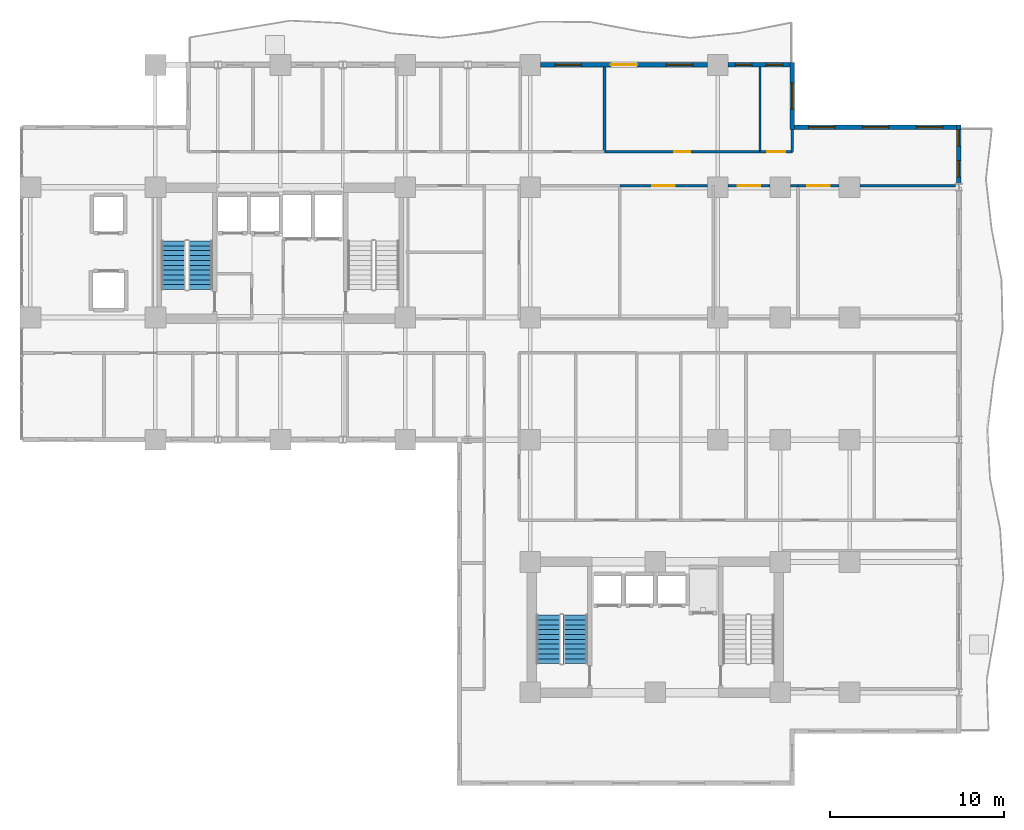
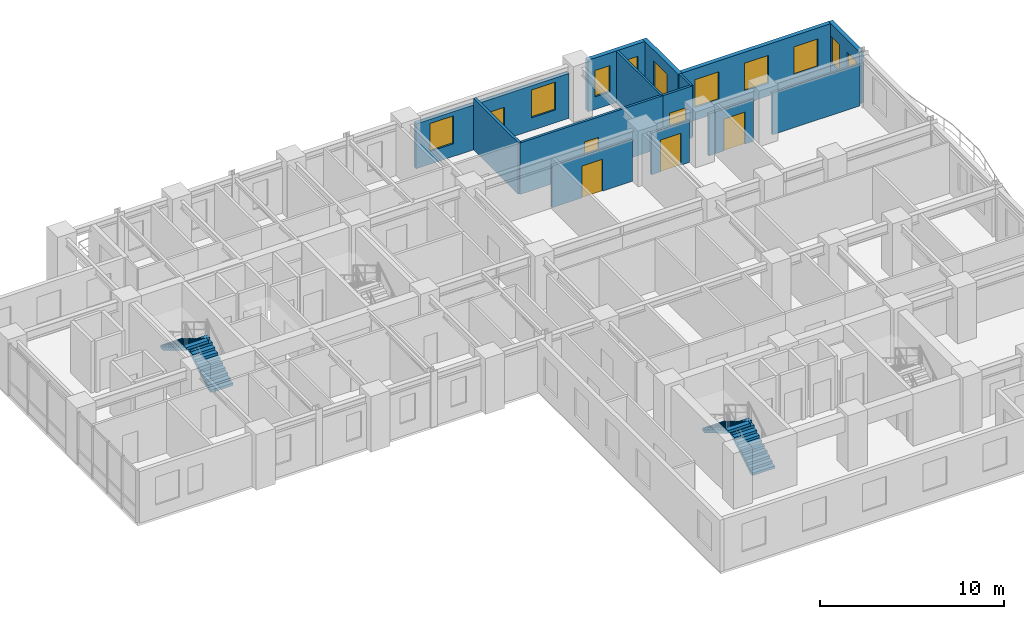
# One storey, part 13 of 18: 15 walls, 10 windows, 6 doors, 4 stair flights, 16 openings, 2 elements without a shape of their own.
"""IFC4 building model written with IfcOpenShell, lengths in metres."""

from ifc_helpers import new_model, si_unit, direction, frame, frame_2d, origin, place, context, subcontext, project, spatial, polyline, rectangle, outline, extrude, material, layer, layer_set, type_object, element, fill, aggregate, save


model = new_model("IFC4")

# Units and contexts
model_context = context("Model", 3, precision=1e-05, world=origin(), true_north=direction((0.0, 1.0)))
body_context = subcontext(model_context, "Body", "Model", "MODEL_VIEW")
ifc_project = project(units=[si_unit("LENGTHUNIT", "METRE"), si_unit("AREAUNIT", "SQUARE_METRE"), si_unit("VOLUMEUNIT", "CUBIC_METRE"), si_unit("PLANEANGLEUNIT", "RADIAN"), si_unit("MASSUNIT", "GRAM", prefix="KILO")], contexts=[model_context])

# Site, building, storey
site_placement = place(None, origin())
site = spatial("IfcSite", under=ifc_project, at=site_placement, CompositionType="ELEMENT")
building_placement = place(site_placement, origin())
building = spatial("IfcBuilding", under=site, at=building_placement, Name="Kaliganga Portal Commons", CompositionType="ELEMENT")
storey_placement = place(building_placement, frame((0.0, 0.0, 123.0)))
storey = spatial("IfcBuildingStorey", under=building, at=storey_placement, Name="L31", CompositionType="ELEMENT", Elevation=123.0)

# Wall, openings, windows
ifc_material_1 = material(Name="Insulated Aluminium-Clad Spandrel Assembly", Category="aluminium")
ifc_layer_1 = layer(ifc_material_1, 0.260009765625)
ifc_layer_set_1 = layer_set([ifc_layer_1], Name="Insulated Aluminium-Clad Spandrel Assembly")
wall_type_1 = type_object("IfcWallType", Name="WL-EXT-SPAND-260", PredefinedType="STANDARD", material=ifc_layer_set_1)
wall_1_placement = place(storey_placement, frame((60.699951171875, 39.72998046875, 0.0), z_axis=(0.0, 0.0, 1.0), x_axis=(0.0, -1.0, 0.0)))
wall_1 = element("IfcWall", 1, at=wall_1_placement, inside=storey, type_object=wall_type_1, Name="Exterior Envelope Wall L31 P1-E03-S6", PredefinedType="STANDARD", context=body_context, shape_type="SweptSolid", body=[
    extrude(rectangle(XDim=3.364013671875, YDim=0.260009765625, at=frame_2d((1.68212890625, 0.0))), origin(), (0.0, 0.0, 1.0), 3.429931640625),
])
opening_1_placement = place(wall_1_placement, frame((2.041259765625, 0.0, 0.85009765625)))
opening_1 = element("IfcOpeningElement", 2, at=opening_1_placement, cuts=wall_1, Name="Opening W-04", PredefinedType="OPENING", context=body_context, shape_type="SweptSolid", body=[
    extrude(rectangle(XDim=0.949951171875, YDim=1.75, at=frame_2d((0.47509765625, 0.875))), frame((0.0, 0.14013671875, 0.0), z_axis=(0.0, -1.0, 0.0), x_axis=(1.0, 0.0, 0.0)), (0.0, 0.0, 1.0), 0.280029296875),
])
opening_2_placement = place(wall_1_placement, frame((0.26513671875, 0.0, 0.85009765625)))
opening_2 = element("IfcOpeningElement", 3, at=opening_2_placement, cuts=wall_1, Name="Opening W-04", PredefinedType="OPENING", context=body_context, shape_type="SweptSolid", body=[
    extrude(rectangle(XDim=0.949951171875, YDim=1.75, at=frame_2d((0.47509765625, 0.875))), frame((0.0, 0.14013671875, 0.0), z_axis=(0.0, -1.0, 0.0), x_axis=(1.0, 0.0, 0.0)), (0.0, 0.0, 1.0), 0.280029296875),
])
ifc_material_2 = material(Name="Thermally Broken Aluminium and Low-E Double Glazing", Category="aluminium")
window_type_1 = type_object("IfcWindowType", Name="WIN-NARROW-950", PartitioningType="SINGLE_PANEL", PredefinedType="WINDOW", material=ifc_material_2)
window_1_placement = place(opening_1_placement, origin())
window_1 = element("IfcWindow", 4, at=window_1_placement, inside=storey, type_object=window_type_1, Name="Facade Window L31-P1E03S6-N2", OverallHeight=1.75, OverallWidth=0.949951171875, PartitioningType="SINGLE_PANEL", PredefinedType="WINDOW", context=body_context, shape_type="SweptSolid", body=[
    extrude(rectangle(XDim=0.949951171875, YDim=1.75, at=frame_2d((0.47509765625, 0.875))), frame((0.0, 0.030029296875, 0.0), z_axis=(0.0, -1.0, 0.0), x_axis=(1.0, 0.0, 0.0)), (0.0, 0.0, 1.0), 0.06005859375),
])
fill(opening_1, window_1)
window_2_placement = place(opening_2_placement, origin())
window_2 = element("IfcWindow", 5, at=window_2_placement, inside=storey, type_object=window_type_1, Name="Facade Window L31-P1E03S6-N9", OverallHeight=1.75, OverallWidth=0.949951171875, PartitioningType="SINGLE_PANEL", PredefinedType="WINDOW", context=body_context, shape_type="SweptSolid", body=[
    extrude(rectangle(XDim=0.949951171875, YDim=1.75, at=frame_2d((0.47509765625, 0.875))), frame((0.0, 0.030029296875, 0.0), z_axis=(0.0, -1.0, 0.0), x_axis=(1.0, 0.0, 0.0)), (0.0, 0.0, 1.0), 0.06005859375),
])
fill(opening_2, window_2)

wall_2_placement = place(storey_placement, frame((51.235107421875, 39.60009765625, 0.0), z_axis=(0.0, 0.0, 1.0), x_axis=(1.0, 0.0, 0.0)))
wall_2 = element("IfcWall", 6, at=wall_2_placement, inside=storey, type_object=wall_type_1, Name="Exterior Envelope Wall L31 P1-E04-S1", PredefinedType="STANDARD", context=body_context, shape_type="SweptSolid", body=[
    extrude(rectangle(XDim=9.329833984375, YDim=0.260009765625, at=frame_2d((4.6650390625, 0.0))), origin(), (0.0, 0.0, 1.0), 3.429931640625),
])
opening_3_placement = place(wall_2_placement, frame((0.804931640625, 0.0, 0.85009765625)))
opening_3 = element("IfcOpeningElement", 7, at=opening_3_placement, cuts=wall_2, Name="Opening W-02", PredefinedType="OPENING", context=body_context, shape_type="SweptSolid", body=[
    extrude(rectangle(XDim=1.5, YDim=1.85009765625, at=frame_2d((0.75, 0.925048828125))), frame((0.0, 0.14013671875, 0.0), z_axis=(0.0, -1.0, 0.0), x_axis=(1.0, 0.0, 0.0)), (0.0, 0.0, 1.0), 0.280029296875),
])
opening_4_placement = place(wall_2_placement, frame((3.9150390625, 0.0, 0.85009765625)))
opening_4 = element("IfcOpeningElement", 8, at=opening_4_placement, cuts=wall_2, Name="Opening W-02", PredefinedType="OPENING", context=body_context, shape_type="SweptSolid", body=[
    extrude(rectangle(XDim=1.5, YDim=1.85009765625, at=frame_2d((0.75, 0.925048828125))), frame((0.0, 0.14013671875, 0.0), z_axis=(0.0, -1.0, 0.0), x_axis=(1.0, 0.0, 0.0)), (0.0, 0.0, 1.0), 0.280029296875),
])
opening_5_placement = place(wall_2_placement, frame((7.02490234375, 0.0, 0.85009765625)))
opening_5 = element("IfcOpeningElement", 9, at=opening_5_placement, cuts=wall_2, Name="Opening W-02", PredefinedType="OPENING", context=body_context, shape_type="SweptSolid", body=[
    extrude(rectangle(XDim=1.5, YDim=1.85009765625, at=frame_2d((0.75, 0.925048828125))), frame((0.0, 0.14013671875, 0.0), z_axis=(0.0, -1.0, 0.0), x_axis=(1.0, 0.0, 0.0)), (0.0, 0.0, 1.0), 0.280029296875),
])
window_type_2 = type_object("IfcWindowType", Name="WIN-STD-1500", PartitioningType="DOUBLE_PANEL_VERTICAL", PredefinedType="WINDOW", material=ifc_material_2)
window_3_placement = place(opening_3_placement, origin())
window_3 = element("IfcWindow", 10, at=window_3_placement, inside=storey, type_object=window_type_2, Name="Facade Window L31-P1E04S1-00", OverallHeight=1.85009765625, OverallWidth=1.5, PartitioningType="SINGLE_PANEL", PredefinedType="WINDOW", context=body_context, shape_type="SweptSolid", body=[
    extrude(rectangle(XDim=1.5, YDim=1.85009765625, at=frame_2d((0.75, 0.925048828125))), frame((0.0, 0.030029296875, 0.0), z_axis=(0.0, -1.0, 0.0), x_axis=(1.0, 0.0, 0.0)), (0.0, 0.0, 1.0), 0.06005859375),
])
fill(opening_3, window_3)
window_4_placement = place(opening_4_placement, origin())
window_4 = element("IfcWindow", 11, at=window_4_placement, inside=storey, type_object=window_type_2, Name="Facade Window L31-P1E04S1-01", OverallHeight=1.85009765625, OverallWidth=1.5, PartitioningType="SINGLE_PANEL", PredefinedType="WINDOW", context=body_context, shape_type="SweptSolid", body=[
    extrude(rectangle(XDim=1.5, YDim=1.85009765625, at=frame_2d((0.75, 0.925048828125))), frame((0.0, 0.030029296875, 0.0), z_axis=(0.0, -1.0, 0.0), x_axis=(1.0, 0.0, 0.0)), (0.0, 0.0, 1.0), 0.06005859375),
])
fill(opening_4, window_4)
window_5_placement = place(opening_5_placement, origin())
window_5 = element("IfcWindow", 12, at=window_5_placement, inside=storey, type_object=window_type_2, Name="Facade Window L31-P1E04S1-02", OverallHeight=1.85009765625, OverallWidth=1.5, PartitioningType="SINGLE_PANEL", PredefinedType="WINDOW", context=body_context, shape_type="SweptSolid", body=[
    extrude(rectangle(XDim=1.5, YDim=1.85009765625, at=frame_2d((0.75, 0.925048828125))), frame((0.0, 0.030029296875, 0.0), z_axis=(0.0, -1.0, 0.0), x_axis=(1.0, 0.0, 0.0)), (0.0, 0.0, 1.0), 0.06005859375),
])
fill(opening_5, window_5)

# Wall, opening, window
wall_3_placement = place(storey_placement, frame((51.10009765625, 43.330078125, 0.0), z_axis=(0.0, 0.0, 1.0), x_axis=(0.0, -1.0, 0.0)))
wall_3 = element("IfcWall", 13, at=wall_3_placement, inside=storey, type_object=wall_type_1, Name="Exterior Envelope Wall L31 P1-E05-S1", PredefinedType="STANDARD", context=body_context, shape_type="SweptSolid", body=[
    extrude(rectangle(XDim=3.860107421875, YDim=0.260009765625, at=frame_2d((1.93017578125, 0.0))), origin(), (0.0, 0.0, 1.0), 3.429931640625),
])
opening_6_placement = place(wall_3_placement, frame((1.179931640625, 0.0, 0.85009765625)))
opening_6 = element("IfcOpeningElement", 14, at=opening_6_placement, cuts=wall_3, Name="Opening W-02", PredefinedType="OPENING", context=body_context, shape_type="SweptSolid", body=[
    extrude(rectangle(XDim=1.5, YDim=1.85009765625, at=frame_2d((0.75, 0.925048828125))), frame((0.0, 0.14013671875, 0.0), z_axis=(0.0, -1.0, 0.0), x_axis=(1.0, 0.0, 0.0)), (0.0, 0.0, 1.0), 0.280029296875),
])
window_6_placement = place(opening_6_placement, origin())
window_6 = element("IfcWindow", 15, at=window_6_placement, inside=storey, type_object=window_type_2, Name="Facade Window L31-P1E05S1-00", OverallHeight=1.85009765625, OverallWidth=1.5, PartitioningType="SINGLE_PANEL", PredefinedType="WINDOW", context=body_context, shape_type="SweptSolid", body=[
    extrude(rectangle(XDim=1.5, YDim=1.85009765625, at=frame_2d((0.75, 0.925048828125))), frame((0.0, 0.030029296875, 0.0), z_axis=(0.0, -1.0, 0.0), x_axis=(1.0, 0.0, 0.0)), (0.0, 0.0, 1.0), 0.06005859375),
])
fill(opening_6, window_6)

# Wall, openings, windows
wall_4_placement = place(storey_placement, frame((47.40087890625, 43.199951171875, 0.0), z_axis=(0.0, 0.0, 1.0), x_axis=(1.0, 0.0, 0.0)))
wall_4 = element("IfcWall", 16, at=wall_4_placement, inside=storey, type_object=wall_type_1, Name="Exterior Envelope Wall L31 P1-E06-S1", PredefinedType="STANDARD", context=body_context, shape_type="SweptSolid", body=[
    extrude(rectangle(XDim=3.564208984375, YDim=0.260009765625, at=frame_2d((1.7822265625, 0.0))), origin(), (0.0, 0.0, 1.0), 3.429931640625),
])
opening_7_placement = place(wall_4_placement, frame((0.423095703125, 0.0, 0.85009765625)))
opening_7 = element("IfcOpeningElement", 17, at=opening_7_placement, cuts=wall_4, Name="Opening W-04", PredefinedType="OPENING", context=body_context, shape_type="SweptSolid", body=[
    extrude(rectangle(XDim=0.949951171875, YDim=1.75, at=frame_2d((0.47509765625, 0.875))), frame((0.0, 0.14013671875, 0.0), z_axis=(0.0, -1.0, 0.0), x_axis=(1.0, 0.0, 0.0)), (0.0, 0.0, 1.0), 0.280029296875),
])
opening_8_placement = place(wall_4_placement, frame((2.19091796875, 0.0, 0.85009765625)))
opening_8 = element("IfcOpeningElement", 18, at=opening_8_placement, cuts=wall_4, Name="Opening W-04", PredefinedType="OPENING", context=body_context, shape_type="SweptSolid", body=[
    extrude(rectangle(XDim=0.949951171875, YDim=1.75, at=frame_2d((0.47509765625, 0.875))), frame((0.0, 0.14013671875, 0.0), z_axis=(0.0, -1.0, 0.0), x_axis=(1.0, 0.0, 0.0)), (0.0, 0.0, 1.0), 0.280029296875),
])
window_7_placement = place(opening_7_placement, origin())
window_7 = element("IfcWindow", 19, at=window_7_placement, inside=storey, type_object=window_type_1, Name="Facade Window L31-P1E06S1-N1", OverallHeight=1.75, OverallWidth=0.949951171875, PartitioningType="SINGLE_PANEL", PredefinedType="WINDOW", context=body_context, shape_type="SweptSolid", body=[
    extrude(rectangle(XDim=0.949951171875, YDim=1.75, at=frame_2d((0.47509765625, 0.875))), frame((0.0, 0.030029296875, 0.0), z_axis=(0.0, -1.0, 0.0), x_axis=(1.0, 0.0, 0.0)), (0.0, 0.0, 1.0), 0.06005859375),
])
fill(opening_7, window_7)
window_8_placement = place(opening_8_placement, origin())
window_8 = element("IfcWindow", 20, at=window_8_placement, inside=storey, type_object=window_type_1, Name="Facade Window L31-P1E06S1-N2", OverallHeight=1.75, OverallWidth=0.949951171875, PartitioningType="SINGLE_PANEL", PredefinedType="WINDOW", context=body_context, shape_type="SweptSolid", body=[
    extrude(rectangle(XDim=0.949951171875, YDim=1.75, at=frame_2d((0.47509765625, 0.875))), frame((0.0, 0.030029296875, 0.0), z_axis=(0.0, -1.0, 0.0), x_axis=(1.0, 0.0, 0.0)), (0.0, 0.0, 1.0), 0.06005859375),
])
fill(opening_8, window_8)

# Wall, openings, door, windows
wall_5_placement = place(storey_placement, frame((36.60107421875, 43.199951171875, 0.0), z_axis=(0.0, 0.0, 1.0), x_axis=(1.0, 0.0, 0.0)))
wall_5 = element("IfcWall", 21, at=wall_5_placement, inside=storey, type_object=wall_type_1, Name="Exterior Envelope Wall L31 P1-E06-S2", PredefinedType="STANDARD", context=body_context, shape_type="SweptSolid", body=[
    extrude(rectangle(XDim=9.597900390625, YDim=0.260009765625, at=frame_2d((4.798828125, 0.0))), origin(), (0.0, 0.0, 1.0), 2.97998046875),
])
opening_9_placement = place(wall_5_placement, frame((4.049072265625, 0.0, 0.0)))
opening_9 = element("IfcOpeningElement", 22, at=opening_9_placement, cuts=wall_5, Name="Opening BD-01", PredefinedType="OPENING", context=body_context, shape_type="SweptSolid", body=[
    extrude(rectangle(XDim=1.5, YDim=2.14990234375, at=frame_2d((0.75, 1.074951171875))), frame((0.0, 0.14013671875, 0.0), z_axis=(0.0, -1.0, 0.0), x_axis=(1.0, 0.0, 0.0)), (0.0, 0.0, 1.0), 0.280029296875),
])
opening_10_placement = place(wall_5_placement, frame((0.849609375, 0.0, 0.85009765625)))
opening_10 = element("IfcOpeningElement", 23, at=opening_10_placement, cuts=wall_5, Name="Opening W-02", PredefinedType="OPENING", context=body_context, shape_type="SweptSolid", body=[
    extrude(rectangle(XDim=1.5, YDim=1.85009765625, at=frame_2d((0.75, 0.925048828125))), frame((0.0, 0.14013671875, 0.0), z_axis=(0.0, -1.0, 0.0), x_axis=(1.0, 0.0, 0.0)), (0.0, 0.0, 1.0), 0.280029296875),
])
opening_11_placement = place(wall_5_placement, frame((7.248291015625, 0.0, 0.85009765625)))
opening_11 = element("IfcOpeningElement", 24, at=opening_11_placement, cuts=wall_5, Name="Opening W-02", PredefinedType="OPENING", context=body_context, shape_type="SweptSolid", body=[
    extrude(rectangle(XDim=1.5, YDim=1.85009765625, at=frame_2d((0.75, 0.925048828125))), frame((0.0, 0.14013671875, 0.0), z_axis=(0.0, -1.0, 0.0), x_axis=(1.0, 0.0, 0.0)), (0.0, 0.0, 1.0), 0.280029296875),
])
ifc_material_3 = material(Name="Anodized Aluminium and Laminated Safety Glass", Category="aluminium")
door_type_1 = type_object("IfcDoorType", Name="DR-BALC-1500", OperationType="SLIDING_TO_LEFT", PredefinedType="DOOR", material=ifc_material_3)
door_1_placement = place(opening_9_placement, origin())
door_1 = element("IfcDoor", 25, at=door_1_placement, inside=storey, type_object=door_type_1, Name="Balcony Sliding Door L31 balc_north", OperationType="SLIDING_TO_LEFT", OverallHeight=2.14990234375, OverallWidth=1.5, PredefinedType="DOOR", context=body_context, shape_type="SweptSolid", body=[
    extrude(rectangle(XDim=1.5, YDim=2.14990234375, at=frame_2d((0.75, 1.074951171875))), frame((0.0, 0.02490234375, 0.0), z_axis=(0.0, -1.0, 0.0), x_axis=(1.0, 0.0, 0.0)), (0.0, 0.0, 1.0), 0.050048828125),
])
fill(opening_9, door_1)
window_9_placement = place(opening_10_placement, origin())
window_9 = element("IfcWindow", 26, at=window_9_placement, inside=storey, type_object=window_type_2, Name="Facade Window L31-P1E06S2-00", OverallHeight=1.85009765625, OverallWidth=1.5, PartitioningType="SINGLE_PANEL", PredefinedType="WINDOW", context=body_context, shape_type="SweptSolid", body=[
    extrude(rectangle(XDim=1.5, YDim=1.85009765625, at=frame_2d((0.75, 0.925048828125))), frame((0.0, 0.030029296875, 0.0), z_axis=(0.0, -1.0, 0.0), x_axis=(1.0, 0.0, 0.0)), (0.0, 0.0, 1.0), 0.06005859375),
])
fill(opening_10, window_9)
window_10_placement = place(opening_11_placement, origin())
window_10 = element("IfcWindow", 27, at=window_10_placement, inside=storey, type_object=window_type_2, Name="Facade Window L31-P1E06S2-02", OverallHeight=1.85009765625, OverallWidth=1.5, PartitioningType="SINGLE_PANEL", PredefinedType="WINDOW", context=body_context, shape_type="SweptSolid", body=[
    extrude(rectangle(XDim=1.5, YDim=1.85009765625, at=frame_2d((0.75, 0.925048828125))), frame((0.0, 0.030029296875, 0.0), z_axis=(0.0, -1.0, 0.0), x_axis=(1.0, 0.0, 0.0)), (0.0, 0.0, 1.0), 0.06005859375),
])
fill(opening_11, window_10)

# Wall, opening, door
ifc_material_4 = material(Name="Fire-Rated Gypsum Board on Steel Stud", Category="steel")
ifc_layer_2 = layer(ifc_material_4, 0.14990234375)
ifc_layer_set_2 = layer_set([ifc_layer_2], Name="Fire-Rated Gypsum Board on Steel Stud")
wall_type_2 = type_object("IfcWallType", Name="WL-PART-CORR-150", PredefinedType="PARTITIONING", material=ifc_layer_set_2)
wall_6_placement = place(storey_placement, frame((51.419921875, 36.239990234375, 0.0), z_axis=(0.0, 0.0, 1.0), x_axis=(1.0, 0.0, 0.0)))
wall_6 = element("IfcWall", 28, at=wall_6_placement, inside=storey, type_object=wall_type_2, Name="Interior Partition L31-005", PredefinedType="PARTITIONING", context=body_context, shape_type="SweptSolid", body=[
    extrude(rectangle(XDim=2.380126953125, YDim=0.14990234375, at=frame_2d((1.18994140625, 0.0))), origin(), (0.0, 0.0, 1.0), 2.780029296875),
])
opening_12_placement = place(wall_6_placement, frame((0.5400390625, 0.0, 0.0)))
opening_12 = element("IfcOpeningElement", 29, at=opening_12_placement, cuts=wall_6, Name="Opening RD-03", PredefinedType="OPENING", context=body_context, shape_type="SweptSolid", body=[
    extrude(rectangle(XDim=1.300048828125, YDim=2.1201171875, at=frame_2d((0.64990234375, 1.06005859375))), frame((0.0, 0.0849609375, 0.0), z_axis=(0.0, -1.0, 0.0), x_axis=(1.0, 0.0, 0.0)), (0.0, 0.0, 1.0), 0.169921875),
])
ifc_material_5 = material(Name="Glazed Timber Seminar Vision Door", Category="wood")
door_type_2 = type_object("IfcDoorType", Name="DR-STUDY-1300", OperationType="DOUBLE_DOOR_SINGLE_SWING", PredefinedType="DOOR", material=ifc_material_5)
door_2_placement = place(opening_12_placement, origin())
door_2 = element("IfcDoor", 30, at=door_2_placement, inside=storey, type_object=door_type_2, Name="Interior Door L31-BK04", OperationType="DOUBLE_DOOR_SINGLE_SWING", OverallHeight=2.1201171875, OverallWidth=1.300048828125, PredefinedType="DOOR", context=body_context, shape_type="SweptSolid", body=[
    extrude(rectangle(XDim=1.300048828125, YDim=2.1201171875, at=frame_2d((0.64990234375, 1.06005859375))), frame((0.0, 0.02490234375, 0.0), z_axis=(0.0, -1.0, 0.0), x_axis=(1.0, 0.0, 0.0)), (0.0, 0.0, 1.0), 0.050048828125),
])
fill(opening_12, door_2)

# Wall
wall_7_placement = place(storey_placement, frame((55.0, 36.239990234375, 0.0), z_axis=(0.0, 0.0, 1.0), x_axis=(1.0, 0.0, 0.0)))
element("IfcWall", 31, at=wall_7_placement, inside=storey, type_object=wall_type_2, Name="Interior Partition L31-006", PredefinedType="PARTITIONING", context=body_context, shape_type="SweptSolid", body=[
    extrude(rectangle(XDim=5.49560546875, YDim=0.14990234375, at=frame_2d((2.747802734375, 0.0))), origin(), (0.0, 0.0, 1.0), 2.780029296875),
])

# Wall, opening, door
wall_8_placement = place(storey_placement, frame((40.280029296875, 38.199951171875, 0.0), z_axis=(0.0, 0.0, 1.0), x_axis=(1.0, 0.0, 0.0)))
wall_8 = element("IfcWall", 32, at=wall_8_placement, inside=storey, type_object=wall_type_2, Name="Interior Partition L31-007", PredefinedType="PARTITIONING", context=body_context, shape_type="SweptSolid", body=[
    extrude(rectangle(XDim=8.9599609375, YDim=0.14990234375, at=frame_2d((4.47998046875, 0.0))), origin(), (0.0, 0.0, 1.0), 3.429931640625),
])
opening_13_placement = place(wall_8_placement, frame((4.030029296875, 0.0, 0.0)))
opening_13 = element("IfcOpeningElement", 33, at=opening_13_placement, cuts=wall_8, Name="Opening RD-01", PredefinedType="OPENING", context=body_context, shape_type="SweptSolid", body=[
    extrude(rectangle(XDim=0.89990234375, YDim=2.080078125, at=frame_2d((0.449951171875, 1.0400390625))), frame((0.0, 0.0849609375, 0.0), z_axis=(0.0, -1.0, 0.0), x_axis=(1.0, 0.0, 0.0)), (0.0, 0.0, 1.0), 0.169921875),
])
ifc_material_6 = material(Name="Engineered Timber Flush Door", Category="wood")
door_type_3 = type_object("IfcDoorType", Name="DR-ROOM-900", OperationType="NOTDEFINED", PredefinedType="DOOR", material=ifc_material_6)
door_3_placement = place(opening_13_placement, origin())
door_3 = element("IfcDoor", 34, at=door_3_placement, inside=storey, type_object=door_type_3, Name="Interior Door L31-AN07", OperationType="SINGLE_SWING_RIGHT", OverallHeight=2.080078125, OverallWidth=0.89990234375, PredefinedType="DOOR", context=body_context, shape_type="SweptSolid", body=[
    extrude(rectangle(XDim=0.89990234375, YDim=2.080078125, at=frame_2d((0.449951171875, 1.0400390625))), frame((0.0, 0.02490234375, 0.0), z_axis=(0.0, -1.0, 0.0), x_axis=(1.0, 0.0, 0.0)), (0.0, 0.0, 1.0), 0.050048828125),
])
fill(opening_13, door_3)

wall_9_placement = place(storey_placement, frame((41.159912109375, 36.239990234375, 0.0), z_axis=(0.0, 0.0, 1.0), x_axis=(1.0, 0.0, 0.0)))
wall_9 = element("IfcWall", 35, at=wall_9_placement, inside=storey, type_object=wall_type_2, Name="Interior Partition L31-014", PredefinedType="PARTITIONING", context=body_context, shape_type="SweptSolid", body=[
    extrude(rectangle(XDim=5.0400390625, YDim=0.14990234375, at=frame_2d((2.52001953125, 0.0))), origin(), (0.0, 0.0, 1.0), 2.780029296875),
])
opening_14_placement = place(wall_9_placement, frame((1.8701171875, 0.0, 0.0)))
opening_14 = element("IfcOpeningElement", 36, at=opening_14_placement, cuts=wall_9, Name="Opening RD-03", PredefinedType="OPENING", context=body_context, shape_type="SweptSolid", body=[
    extrude(rectangle(XDim=1.300048828125, YDim=2.1201171875, at=frame_2d((0.64990234375, 1.06005859375))), frame((0.0, 0.0849609375, 0.0), z_axis=(0.0, -1.0, 0.0), x_axis=(1.0, 0.0, 0.0)), (0.0, 0.0, 1.0), 0.169921875),
])
door_4_placement = place(opening_14_placement, origin())
door_4 = element("IfcDoor", 37, at=door_4_placement, inside=storey, type_object=door_type_2, Name="Interior Door L31-BK02", OperationType="DOUBLE_DOOR_SINGLE_SWING", OverallHeight=2.1201171875, OverallWidth=1.300048828125, PredefinedType="DOOR", context=body_context, shape_type="SweptSolid", body=[
    extrude(rectangle(XDim=1.300048828125, YDim=2.1201171875, at=frame_2d((0.64990234375, 1.06005859375))), frame((0.0, 0.02490234375, 0.0), z_axis=(0.0, -1.0, 0.0), x_axis=(1.0, 0.0, 0.0)), (0.0, 0.0, 1.0), 0.050048828125),
])
fill(opening_14, door_4)

wall_10_placement = place(storey_placement, frame((47.39990234375, 36.239990234375, 0.0), z_axis=(0.0, 0.0, 1.0), x_axis=(1.0, 0.0, 0.0)))
wall_10 = element("IfcWall", 38, at=wall_10_placement, inside=storey, type_object=wall_type_2, Name="Interior Partition L31-019", PredefinedType="PARTITIONING", context=body_context, shape_type="SweptSolid", body=[
    extrude(rectangle(XDim=2.400146484375, YDim=0.14990234375, at=frame_2d((1.2001953125, 0.0))), origin(), (0.0, 0.0, 1.0), 2.780029296875),
])
opening_15_placement = place(wall_10_placement, frame((0.550048828125, 0.0, 0.0)))
opening_15 = element("IfcOpeningElement", 39, at=opening_15_placement, cuts=wall_10, Name="Opening RD-03", PredefinedType="OPENING", context=body_context, shape_type="SweptSolid", body=[
    extrude(rectangle(XDim=1.300048828125, YDim=2.1201171875, at=frame_2d((0.64990234375, 1.06005859375))), frame((0.0, 0.0849609375, 0.0), z_axis=(0.0, -1.0, 0.0), x_axis=(1.0, 0.0, 0.0)), (0.0, 0.0, 1.0), 0.169921875),
])
door_5_placement = place(opening_15_placement, origin())
door_5 = element("IfcDoor", 40, at=door_5_placement, inside=storey, type_object=door_type_2, Name="Interior Door L31-BK03", OperationType="DOUBLE_DOOR_SINGLE_SWING", OverallHeight=2.1201171875, OverallWidth=1.300048828125, PredefinedType="DOOR", context=body_context, shape_type="SweptSolid", body=[
    extrude(rectangle(XDim=1.300048828125, YDim=2.1201171875, at=frame_2d((0.64990234375, 1.06005859375))), frame((0.0, 0.02490234375, 0.0), z_axis=(0.0, -1.0, 0.0), x_axis=(1.0, 0.0, 0.0)), (0.0, 0.0, 1.0), 0.050048828125),
])
fill(opening_15, door_5)

# Wall
wall_11_placement = place(storey_placement, frame((51.0, 36.239990234375, 0.0), z_axis=(0.0, 0.0, 1.0), x_axis=(1.0, 0.0, 0.0)))
element("IfcWall", 41, at=wall_11_placement, inside=storey, type_object=wall_type_2, Name="Interior Partition L31-020", PredefinedType="PARTITIONING", context=body_context, shape_type="SweptSolid", body=[
    extrude(rectangle(XDim=0.419921875, YDim=0.14990234375, at=frame_2d((0.2099609375, 0.0))), origin(), (0.0, 0.0, 1.0), 2.780029296875),
])

# Wall, opening, door
wall_12_placement = place(storey_placement, frame((49.239990234375, 38.199951171875, 0.0), z_axis=(0.0, 0.0, 1.0), x_axis=(1.0, 0.0, 0.0)))
wall_12 = element("IfcWall", 42, at=wall_12_placement, inside=storey, type_object=wall_type_2, Name="Interior Partition L31-041", PredefinedType="PARTITIONING", context=body_context, shape_type="SweptSolid", body=[
    extrude(rectangle(XDim=1.860107421875, YDim=0.14990234375, at=frame_2d((0.93017578125, 0.0))), origin(), (0.0, 0.0, 1.0), 3.429931640625),
])
opening_16_placement = place(wall_12_placement, frame((0.405029296875, 0.0, 0.0)))
opening_16 = element("IfcOpeningElement", 43, at=opening_16_placement, cuts=wall_12, Name="Opening UD-02", PredefinedType="OPENING", context=body_context, shape_type="SweptSolid", body=[
    extrude(rectangle(XDim=1.050048828125, YDim=2.1201171875, at=frame_2d((0.52490234375, 1.06005859375))), frame((0.0, 0.0849609375, 0.0), z_axis=(0.0, -1.0, 0.0), x_axis=(1.0, 0.0, 0.0)), (0.0, 0.0, 1.0), 0.169921875),
])
ifc_material_7 = material(Name="Accessible Wide-Leaf Acoustic Fire Door", Category="wood")
door_type_4 = type_object("IfcDoorType", Name="DR-ACC-1050", OperationType="NOTDEFINED", PredefinedType="DOOR", material=ifc_material_7)
door_6_placement = place(opening_16_placement, origin())
door_6 = element("IfcDoor", 44, at=door_6_placement, inside=storey, type_object=door_type_4, Name="Interior Door L31-AN08", OperationType="SINGLE_SWING_RIGHT", OverallHeight=2.1201171875, OverallWidth=1.050048828125, PredefinedType="DOOR", context=body_context, shape_type="SweptSolid", body=[
    extrude(rectangle(XDim=1.050048828125, YDim=2.1201171875, at=frame_2d((0.52490234375, 1.06005859375))), frame((0.0, 0.02490234375, 0.0), z_axis=(0.0, -1.0, 0.0), x_axis=(1.0, 0.0, 0.0)), (0.0, 0.0, 1.0), 0.050048828125),
])
fill(opening_16, door_6)

# Walls
ifc_material_8 = material(Name="Twin-Stud Acoustic Gypsum Partition", Category="gypsum")
ifc_layer_3 = layer(ifc_material_8, 0.1650390625)
ifc_layer_set_3 = layer_set([ifc_layer_3], Name="Twin-Stud Acoustic Gypsum Partition")
wall_type_3 = type_object("IfcWallType", Name="WL-PART-UNIT-165", PredefinedType="PARTITIONING", material=ifc_layer_set_3)
wall_13_placement = place(storey_placement, frame((40.280029296875, 38.199951171875, 0.0), z_axis=(0.0, 0.0, 1.0), x_axis=(0.0, 1.0, 0.0)))
element("IfcWall", 45, at=wall_13_placement, inside=storey, type_object=wall_type_3, Name="Interior Partition L31-067", PredefinedType="PARTITIONING", context=body_context, shape_type="SweptSolid", body=[
    extrude(rectangle(XDim=4.8681640625, YDim=0.1650390625, at=frame_2d((2.43408203125, 0.0))), origin(), (0.0, 0.0, 1.0), 3.429931640625),
])
ifc_material_9 = material(Name="Cement-Board Wet-Room Partition", Category="gypsum")
ifc_layer_4 = layer(ifc_material_9, 0.135009765625)
ifc_layer_set_4 = layer_set([ifc_layer_4], Name="Cement-Board Wet-Room Partition")
wall_type_4 = type_object("IfcWallType", Name="WL-PART-WET-135", PredefinedType="PARTITIONING", material=ifc_layer_set_4)
wall_14_placement = place(storey_placement, frame((49.239990234375, 38.199951171875, 0.0), z_axis=(0.0, 0.0, 1.0), x_axis=(0.0, 1.0, 0.0)))
element("IfcWall", 46, at=wall_14_placement, inside=storey, type_object=wall_type_4, Name="Interior Partition L31-068", PredefinedType="PARTITIONING", context=body_context, shape_type="SweptSolid", body=[
    extrude(rectangle(XDim=4.8681640625, YDim=0.135009765625, at=frame_2d((2.43408203125, 0.0))), origin(), (0.0, 0.0, 1.0), 3.429931640625),
])
wall_15_placement = place(storey_placement, frame((51.10009765625, 38.199951171875, 0.0), z_axis=(0.0, 0.0, 1.0), x_axis=(0.0, 1.0, 0.0)))
element("IfcWall", 47, at=wall_15_placement, inside=storey, type_object=wall_type_4, Name="Interior Partition L31-069", PredefinedType="PARTITIONING", context=body_context, shape_type="SweptSolid", body=[
    extrude(rectangle(XDim=1.26806640625, YDim=0.135009765625, at=frame_2d((0.634033203125, 0.0))), origin(), (0.0, 0.0, 1.0), 3.429931640625),
])

# Stair, stair flights
ifc_material_10 = material(Name="Concrete C40/50", Category="concrete")
stair_type = type_object("IfcStairType", Name="ST-CORE-DOGLEG", PredefinedType="HALF_TURN_STAIR", material=ifc_material_10)
stair_1_placement = place(storey_placement, origin())
stair_1 = element("IfcStair", 48, at=stair_1_placement, inside=storey, type_object=stair_type, Name="L31 Protected Exit Stair ST-A1", PredefinedType="HALF_TURN_STAIR")
stair_flight_type = type_object("IfcStairFlightType", Name="STF-RC-1400", PredefinedType="STRAIGHT", material=ifc_material_10)
stair_flight_1_placement = place(storey_placement, frame((17.0, 30.25, 0.0), z_axis=(0.0, 0.0, 1.0), x_axis=(0.0, 1.0, 0.0)))
stair_flight_1 = element("IfcStairFlight", 49, at=stair_flight_1_placement, type_object=stair_flight_type, Name="ST-A1 flight 1", NumberOfRisers=11, NumberOfTreads=10, PredefinedType="STRAIGHT", RiserHeight=0.168181818, TreadLength=0.28, context=body_context, shape_type="SweptSolid", body=[
    extrude(outline(polyline([(0.0, 0.0), (0.0, 0.168212890625), (0.280029296875, 0.168212890625), (0.280029296875, 0.33642578125), (0.56005859375, 0.33642578125), (0.56005859375, 0.504638671875), (0.840087890625, 0.504638671875), (0.840087890625, 0.672607421875), (1.1201171875, 0.672607421875), (1.1201171875, 0.8408203125), (1.39990234375, 0.8408203125), (1.39990234375, 1.009033203125), (1.679931640625, 1.009033203125), (1.679931640625, 1.17724609375), (1.9599609375, 1.17724609375), (1.9599609375, 1.345458984375), (2.239990234375, 1.345458984375), (2.239990234375, 1.513671875), (2.52001953125, 1.513671875), (2.52001953125, 1.681884765625), (2.800048828125, 1.681884765625), (2.800048828125, 1.85009765625), (2.800048828125, 1.5068359375), (0.291015625, 0.0), (0.0, 0.0)])), frame((0.0, 0.699951171875, 0.0), z_axis=(0.0, -1.0, 0.0), x_axis=(1.0, 0.0, 0.0)), (0.0, 0.0, 1.0), 1.39990234375),
])
stair_flight_2_placement = place(storey_placement, frame((15.449951171875, 33.050048828125, 1.85009765625), z_axis=(0.0, 0.0, 1.0), x_axis=(0.0, -1.0, 0.0)))
stair_flight_2 = element("IfcStairFlight", 50, at=stair_flight_2_placement, type_object=stair_flight_type, Name="ST-A1 flight 2", NumberOfRisers=11, NumberOfTreads=10, PredefinedType="STRAIGHT", RiserHeight=0.168181818, TreadLength=0.28, context=body_context, shape_type="SweptSolid", body=[
    extrude(outline(polyline([(0.0, 0.0), (0.0, 0.168212890625), (0.280029296875, 0.168212890625), (0.280029296875, 0.33642578125), (0.56005859375, 0.33642578125), (0.56005859375, 0.504638671875), (0.840087890625, 0.504638671875), (0.840087890625, 0.672607421875), (1.1201171875, 0.672607421875), (1.1201171875, 0.8408203125), (1.39990234375, 0.8408203125), (1.39990234375, 1.009033203125), (1.679931640625, 1.009033203125), (1.679931640625, 1.17724609375), (1.9599609375, 1.17724609375), (1.9599609375, 1.345458984375), (2.239990234375, 1.345458984375), (2.239990234375, 1.513671875), (2.52001953125, 1.513671875), (2.52001953125, 1.681884765625), (2.800048828125, 1.681884765625), (2.800048828125, 1.85009765625), (2.800048828125, 1.5068359375), (0.291015625, 0.0), (0.0, 0.0)])), frame((0.0, 0.699951171875, 0.0), z_axis=(0.0, -1.0, 0.0), x_axis=(1.0, 0.0, 0.0)), (0.0, 0.0, 1.0), 1.39990234375),
])
aggregate(stair_1, [stair_flight_1, stair_flight_2])

stair_2_placement = place(storey_placement, origin())
stair_2 = element("IfcStair", 51, at=stair_2_placement, inside=storey, type_object=stair_type, Name="L31 Protected Exit Stair ST-B1", PredefinedType="HALF_TURN_STAIR")
stair_flight_3_placement = place(storey_placement, frame((38.60009765625, 8.699951171875, 0.0), z_axis=(0.0, 0.0, 1.0), x_axis=(0.0, 1.0, 0.0)))
stair_flight_3 = element("IfcStairFlight", 52, at=stair_flight_3_placement, type_object=stair_flight_type, Name="ST-B1 flight 1", NumberOfRisers=11, NumberOfTreads=10, PredefinedType="STRAIGHT", RiserHeight=0.168181818, TreadLength=0.28, context=body_context, shape_type="SweptSolid", body=[
    extrude(outline(polyline([(0.0, 0.0), (0.0, 0.168212890625), (0.280029296875, 0.168212890625), (0.280029296875, 0.33642578125), (0.56005859375, 0.33642578125), (0.56005859375, 0.504638671875), (0.840087890625, 0.504638671875), (0.840087890625, 0.672607421875), (1.1201171875, 0.672607421875), (1.1201171875, 0.8408203125), (1.39990234375, 0.8408203125), (1.39990234375, 1.009033203125), (1.679931640625, 1.009033203125), (1.679931640625, 1.17724609375), (1.9599609375, 1.17724609375), (1.9599609375, 1.345458984375), (2.239990234375, 1.345458984375), (2.239990234375, 1.513671875), (2.52001953125, 1.513671875), (2.52001953125, 1.681884765625), (2.800048828125, 1.681884765625), (2.800048828125, 1.85009765625), (2.800048828125, 1.5068359375), (0.291015625, 0.0), (0.0, 0.0)])), frame((0.0, 0.699951171875, 0.0), z_axis=(0.0, -1.0, 0.0), x_axis=(1.0, 0.0, 0.0)), (0.0, 0.0, 1.0), 1.39990234375),
])
stair_flight_4_placement = place(storey_placement, frame((37.050048828125, 11.5, 1.85009765625), z_axis=(0.0, 0.0, 1.0), x_axis=(0.0, -1.0, 0.0)))
stair_flight_4 = element("IfcStairFlight", 53, at=stair_flight_4_placement, type_object=stair_flight_type, Name="ST-B1 flight 2", NumberOfRisers=11, NumberOfTreads=10, PredefinedType="STRAIGHT", RiserHeight=0.168181818, TreadLength=0.28, context=body_context, shape_type="SweptSolid", body=[
    extrude(outline(polyline([(0.0, 0.0), (0.0, 0.168212890625), (0.280029296875, 0.168212890625), (0.280029296875, 0.33642578125), (0.56005859375, 0.33642578125), (0.56005859375, 0.504638671875), (0.840087890625, 0.504638671875), (0.840087890625, 0.672607421875), (1.1201171875, 0.672607421875), (1.1201171875, 0.8408203125), (1.39990234375, 0.8408203125), (1.39990234375, 1.009033203125), (1.679931640625, 1.009033203125), (1.679931640625, 1.17724609375), (1.9599609375, 1.17724609375), (1.9599609375, 1.345458984375), (2.239990234375, 1.345458984375), (2.239990234375, 1.513671875), (2.52001953125, 1.513671875), (2.52001953125, 1.681884765625), (2.800048828125, 1.681884765625), (2.800048828125, 1.85009765625), (2.800048828125, 1.5068359375), (0.291015625, 0.0), (0.0, 0.0)])), frame((0.0, 0.699951171875, 0.0), z_axis=(0.0, -1.0, 0.0), x_axis=(1.0, 0.0, 0.0)), (0.0, 0.0, 1.0), 1.39990234375),
])
aggregate(stair_2, [stair_flight_3, stair_flight_4])

save(model, "model.ifc")
